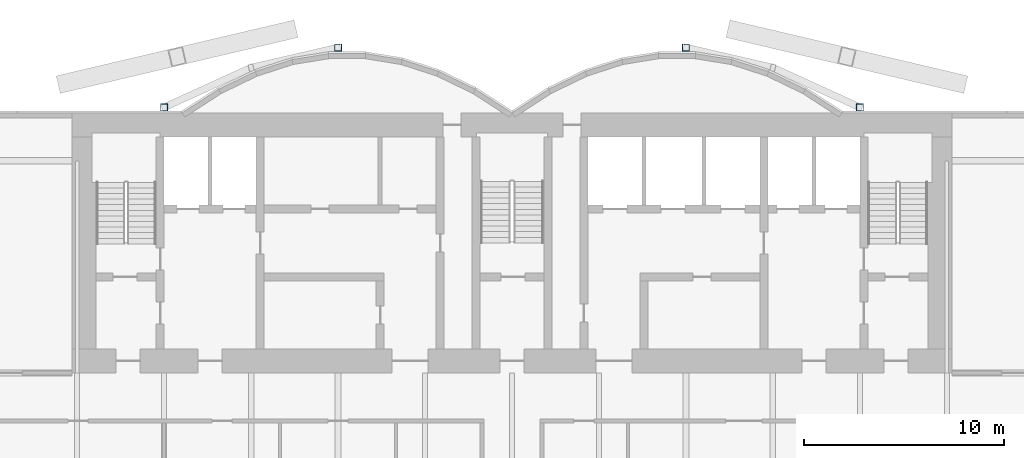
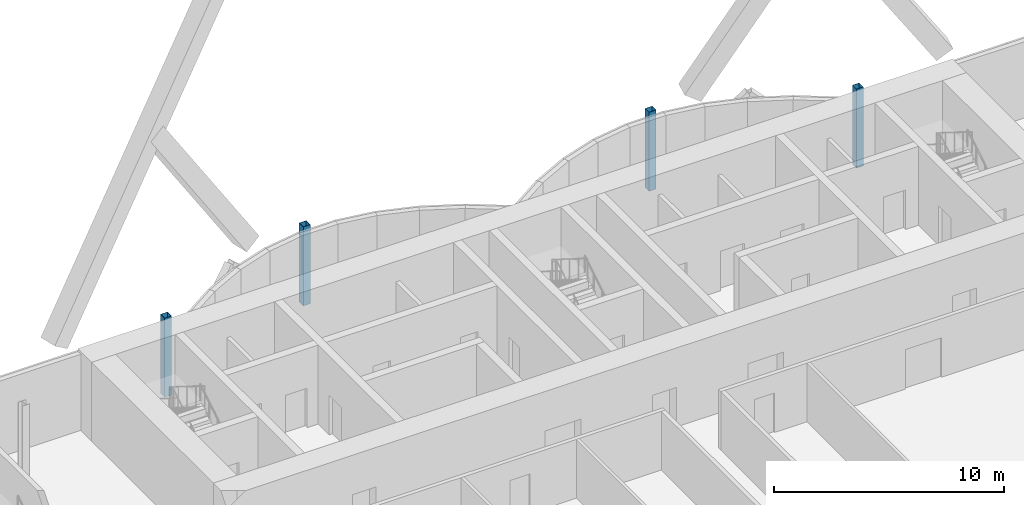
# One storey, part 3 of 22: 4 columns.
"""IFC4 building model written with IfcOpenShell, lengths in metres."""

from ifc_helpers import new_model, si_unit, direction, frame, origin, origin_2d, place, context, subcontext, project, spatial, hollow_rectangle, extrude, material, material_profile, profile_set, type_object, element, save


model = new_model("IFC4")

# Units and contexts
model_context = context("Model", 3, precision=1e-05, world=origin(), true_north=direction((0.0, 1.0)))
body_context = subcontext(model_context, "Body", "Model", "MODEL_VIEW")
ifc_project = project(units=[si_unit("LENGTHUNIT", "METRE"), si_unit("AREAUNIT", "SQUARE_METRE"), si_unit("VOLUMEUNIT", "CUBIC_METRE"), si_unit("PLANEANGLEUNIT", "RADIAN"), si_unit("MASSUNIT", "GRAM", prefix="KILO")], contexts=[model_context])

# Site, building, storey
site_placement = place(None, origin())
site = spatial("IfcSite", under=ifc_project, at=site_placement, CompositionType="ELEMENT")
building_placement = place(site_placement, origin())
building = spatial("IfcBuilding", under=site, at=building_placement, Name="Bicima Exchange Tower", CompositionType="ELEMENT")
storey_placement = place(building_placement, frame((0.0, 0.0, 254.0)))
storey = spatial("IfcBuildingStorey", under=building, at=storey_placement, Name="L57", CompositionType="ELEMENT", Elevation=254.0)

# Columns
ifc_material = material(Name="Steel ASTM A572 Gr 50", Category="steel")
ifc_material_profile = material_profile(ifc_material, hollow_rectangle(XDim=0.355712890625, YDim=0.355712890625, WallThickness=0.01171875, at=origin_2d()))
ifc_profile_set = profile_set([ifc_material_profile], Name="Steel ASTM A572 Gr 50")
column_type = type_object("IfcColumnType", Name="Rear pilaster HSS14x14x1/2", PredefinedType="COLUMN", material=ifc_profile_set)
for number, where, z_axis, x_axis, name in (
    (1, (-8.699951171875, 3.26904296875, 0.0), (0.0, 0.0, 1.0), (1.0, 0.0, 0.0), "Rear pilaster rexo-8.7r"),
    (2, (-17.39990234375, 0.278076171875, 0.0), (0.0, 0.0, 1.0), (1.0, 0.0, 0.0), "Rear pilaster rexo-17.4r"),
    (3, (8.699951171875, 3.26904296875, 0.0), (0.0, 0.0, 1.0), (1.0, 0.0, 0.0), "Rear pilaster rexo+8.7r"),
    (4, (17.39990234375, 0.278076171875, 0.0), (0.0, 0.0, 1.0), (1.0, 0.0, 0.0), "Rear pilaster rexo+17.4r"),
):
    element("IfcColumn", number, at=place(storey_placement, frame(where, z_axis=z_axis, x_axis=x_axis)), inside=storey, type_object=column_type, Name=name, PredefinedType="COLUMN", context=body_context, shape_type="SweptSolid", body=[
        extrude(hollow_rectangle(XDim=0.355712890625, YDim=0.355712890625, WallThickness=0.01171875, at=origin_2d()), origin(), (0.0, 0.0, 1.0), 4.199951171875),
    ])

save(model, "model.ifc")
